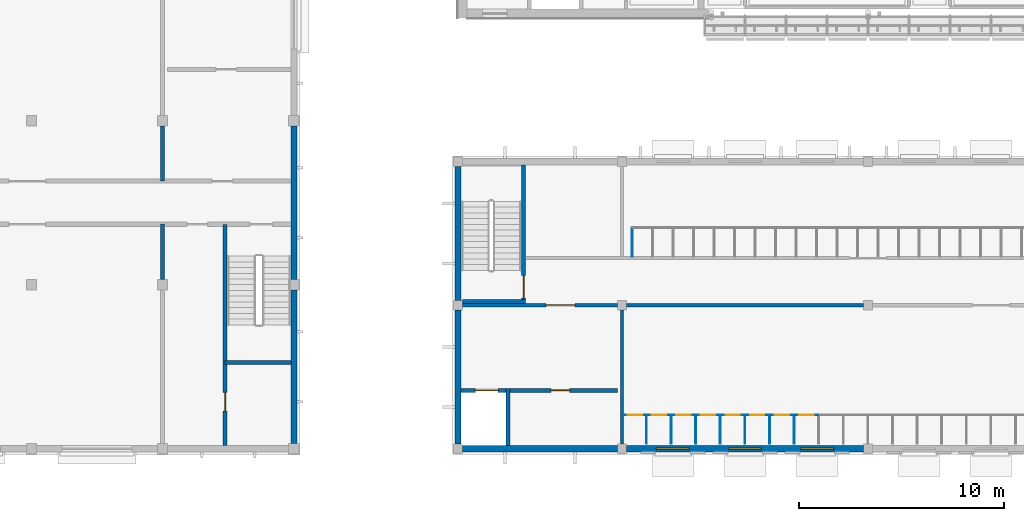
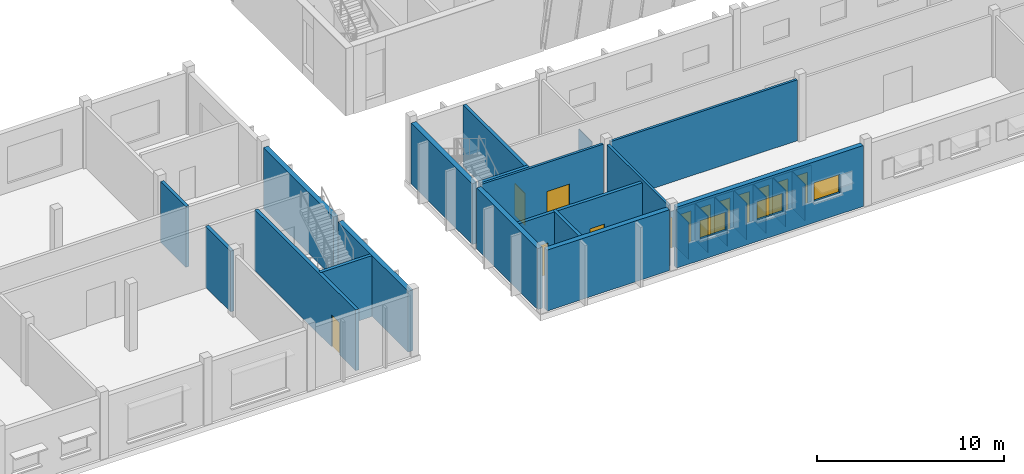
# One storey, part 60 of 115: 34 walls, 13 doors, 3 windows, 16 openings.
"""IFC4 building model written with IfcOpenShell, lengths in metres."""

import ifcopenshell
import ifcopenshell.guid

model = None  # the IFC model being written
_history = None  # IfcOwnerHistory: only IFC2X3 demands one
_inside = {}  # id of a spatial element -> (the spatial element, [elements in it])
_under = {}  # id of a project, library or spatial element -> (it, [spatial elements below it])
_declared = {}  # id of a project -> (the project, [libraries it declares])
_typed = {}  # id of a type object -> (the type object, [elements of that type])
_made_of = {}  # id of a material, layer set ... -> (it, [elements and type objects made of it])


def new_model(schema):
    """Start an empty IFC model of exactly this schema.

    Asked for "IFC4X3", IfcOpenShell would pick the latest addendum, in which some entities
    have other attributes; the version numbers below select the first issue.
    IFC2X3 requires an IfcOwnerHistory on every rooted entity: one is made here for all.
    """
    global model, _history
    if schema == "IFC4X3":
        model = ifcopenshell.file(schema_version=(4, 3, 0, 0))
    else:
        model = ifcopenshell.file(schema=schema)
    _inside.clear()
    _under.clear()
    _declared.clear()
    _typed.clear()
    _made_of.clear()
    _history = None
    if model.schema == "IFC2X3":
        org = make("IfcOrganization", Name="unknown")
        user = make(
            "IfcPersonAndOrganization",
            ThePerson=make("IfcPerson", FamilyName="unknown"),
            TheOrganization=org,
        )
        app = make(
            "IfcApplication",
            ApplicationDeveloper=org,
            Version="unknown",
            ApplicationFullName="unknown",
            ApplicationIdentifier="unknown",
        )
        _history = make(
            "IfcOwnerHistory",
            OwningUser=user,
            OwningApplication=app,
            ChangeAction="ADDED",
            CreationDate=0,
        )
    return model


def make(cls, **values):
    """One entity of the class cls with the attributes given. An attribute that is None is left unset."""
    return model.create_entity(
        cls, **{name: value for name, value in values.items() if value is not None}
    )


def rooted(cls, **values):
    """An entity with a GlobalId (a new one), such as an element, a storey or a relation."""
    return make(cls, GlobalId=ifcopenshell.guid.new(), OwnerHistory=_history, **values)


def si_unit(unit_type, name, prefix=None):
    """IfcSIUnit, for example si_unit("LENGTHUNIT", "METRE", prefix="MILLI")."""
    return make("IfcSIUnit", UnitType=unit_type, Prefix=prefix, Name=name)


def assignment(units):
    """IfcUnitAssignment: the units of a project."""
    return None if units is None else make("IfcUnitAssignment", Units=units)


def point(xyz):
    """IfcCartesianPoint."""
    return None if xyz is None else make("IfcCartesianPoint", Coordinates=xyz)


def direction(xyz):
    """IfcDirection."""
    return None if xyz is None else make("IfcDirection", DirectionRatios=xyz)


def frame(location, z_axis=None, x_axis=None):
    """IfcAxis2Placement3D, a coordinate frame: its origin and axes. An axis left out is left unset."""
    return make(
        "IfcAxis2Placement3D",
        Location=point(location),
        Axis=direction(z_axis),
        RefDirection=direction(x_axis),
    )


def frame_2d(location, x_axis=None):
    """IfcAxis2Placement2D, a coordinate frame in the plane: its origin and x axis."""
    return make(
        "IfcAxis2Placement2D", Location=point(location), RefDirection=direction(x_axis)
    )


def origin():
    """The frame at (0, 0, 0) with its axes left unset."""
    return frame((0.0, 0.0, 0.0))


def place(relative_to, where):
    """IfcLocalPlacement: puts the frame where relative to a parent placement (None: the world)."""
    return make(
        "IfcLocalPlacement", PlacementRelTo=relative_to, RelativePlacement=where
    )


def context(
    kind, dimensions, precision=None, world=None, true_north=None, identifier=None
):
    """IfcGeometricRepresentationContext, for example the 3D "Model" context."""
    return make(
        "IfcGeometricRepresentationContext",
        ContextIdentifier=identifier,
        ContextType=kind,
        CoordinateSpaceDimension=dimensions,
        Precision=precision,
        WorldCoordinateSystem=world,
        TrueNorth=true_north,
    )


def subcontext(parent, identifier, kind, view, scale=None):
    """IfcGeometricRepresentationSubContext, for example "Body" below "Model"."""
    return make(
        "IfcGeometricRepresentationSubContext",
        ContextIdentifier=identifier,
        ContextType=kind,
        ParentContext=parent,
        TargetScale=scale,
        TargetView=view,
    )


def project(units=None, contexts=None):
    """IfcProject with its units and contexts."""
    return rooted(
        "IfcProject",
        Name="project",
        RepresentationContexts=contexts,
        UnitsInContext=assignment(units),
    )


def spatial(cls, under=None, at=None, **own):
    """A site, building, storey or space (cls), placed at a placement, below another one or the project."""
    s = rooted(cls, ObjectPlacement=at, **own)
    if under is not None:
        _under.setdefault(under.id(), (under, []))[1].append(s)
    return s


def profile(cls, at=None, kind="AREA", **sizes):
    """A parametric profile (cls). Its sizes go by their IFC names, for example OverallWidth=200.0."""
    return make(cls, ProfileType=kind, Position=at, **sizes)


def rectangle(**sizes):
    """IfcRectangleProfileDef."""
    return profile("IfcRectangleProfileDef", **sizes)


def extrude(swept, where, along, depth):
    """IfcExtrudedAreaSolid: the profile swept, set in the frame where, extruded along a direction by depth."""
    return make(
        "IfcExtrudedAreaSolid",
        SweptArea=swept,
        Position=where,
        ExtrudedDirection=direction(along),
        Depth=depth,
    )


def shape(context_of_items, identifier, shape_type, items):
    """IfcShapeRepresentation: the items that make up one representation, for example the "Body"."""
    return make(
        "IfcShapeRepresentation",
        ContextOfItems=context_of_items,
        RepresentationIdentifier=identifier,
        RepresentationType=shape_type,
        Items=items,
    )


def material(Name=None, Category=None):
    """IfcMaterial."""
    return make("IfcMaterial", Name=Name, Category=Category)


def layer(
    of_material, thickness, ventilated=None, Name=None, Category=None, Priority=None
):
    """IfcMaterialLayer: one layer of a wall or slab, of a material (None: an air gap)."""
    return make(
        "IfcMaterialLayer",
        Material=of_material,
        LayerThickness=thickness,
        IsVentilated=ventilated,
        Name=Name,
        Category=Category,
        Priority=Priority,
    )


def layer_set(layers, Name=None):
    """IfcMaterialLayerSet."""
    return make("IfcMaterialLayerSet", MaterialLayers=layers, LayerSetName=Name)


def made_of(thing, what):
    """Note that an element or type object is made of a material, layer set ...; save() writes the relation."""
    if what is not None:
        _made_of.setdefault(what.id(), (what, []))[1].append(thing)
    return thing


def type_object(cls, material=None, **own):
    """A type object (cls), such as IfcWallType, which elements share."""
    return made_of(rooted(cls, **own), material)


def element(
    cls,
    number,
    at=None,
    inside=None,
    cuts=None,
    type_object=None,
    material=None,
    context=None,
    identifier="Body",
    shape_type=None,
    held_by="IfcProductDefinitionShape",
    body=None,
    shapes=None,
    **own,
):
    """One element of the class cls, such as IfcWall. Its Tag is "e" and its number.

    at: its placement. inside: the storey or other place that contains it. cuts: it is an
    opening in that element (IfcRelVoidsElement). A single representation is given by context,
    identifier, shape_type and body (its items); several are given by shapes. held_by: the class
    of the entity that holds the representations. save() writes the other relations.
    """
    e = rooted(cls, Tag="e%d" % number, ObjectPlacement=at, **own)
    if body is not None:
        shapes = [shape(context, identifier, shape_type, body)]
    if shapes is not None:
        e.Representation = make(held_by, Representations=shapes)
    if inside is not None:
        _inside.setdefault(inside.id(), (inside, []))[1].append(e)
    if cuts is not None:
        rooted(
            "IfcRelVoidsElement", RelatingBuildingElement=cuts, RelatedOpeningElement=e
        )
    if type_object is not None:
        _typed.setdefault(type_object.id(), (type_object, []))[1].append(e)
    return made_of(e, material)


def fill(opening, filler):
    """IfcRelFillsElement: the door or window that sits in an opening."""
    return rooted(
        "IfcRelFillsElement",
        RelatingOpeningElement=opening,
        RelatedBuildingElement=filler,
    )


def aggregate(whole, parts):
    """IfcRelAggregates: a whole, such as a stair, and the parts it consists of."""
    return rooted("IfcRelAggregates", RelatingObject=whole, RelatedObjects=parts)


def save(model, path):
    """Write the relations noted so far, then the file.

    IfcRelAggregates (storeys below a building ...), IfcRelContainedInSpatialStructure (elements
    in a storey), IfcRelDefinesByType, IfcRelAssociatesMaterial and IfcRelDeclares: one each for
    every whole, place, type object, material and project.
    """
    for whole, parts in _under.values():
        aggregate(whole, parts)
    for where, things in _inside.values():
        rooted(
            "IfcRelContainedInSpatialStructure",
            RelatedElements=things,
            RelatingStructure=where,
        )
    for kind, things in _typed.values():
        rooted("IfcRelDefinesByType", RelatedObjects=things, RelatingType=kind)
    for what, things in _made_of.values():
        rooted("IfcRelAssociatesMaterial", RelatedObjects=things, RelatingMaterial=what)
    for by, libraries in _declared.values():
        rooted("IfcRelDeclares", RelatingContext=by, RelatedDefinitions=libraries)
    model.write(path)


model = new_model("IFC4")

# Units and contexts
model_context = context("Model", 3, precision=1e-05, world=origin(), true_north=direction((0.0, 1.0)))
body_context = subcontext(model_context, "Body", "Model", "MODEL_VIEW")
ifc_project = project(units=[si_unit("LENGTHUNIT", "METRE"), si_unit("AREAUNIT", "SQUARE_METRE"), si_unit("VOLUMEUNIT", "CUBIC_METRE"), si_unit("PLANEANGLEUNIT", "RADIAN"), si_unit("MASSUNIT", "GRAM", prefix="KILO")], contexts=[model_context])

# Site, building, storey
site_placement = place(None, origin())
site = spatial("IfcSite", under=ifc_project, at=site_placement, CompositionType="ELEMENT")
building_placement = place(site_placement, origin())
building = spatial("IfcBuilding", under=site, at=building_placement, Name="Windward Yard Aquatics Centre", CompositionType="ELEMENT")
storey_placement = place(building_placement, frame((0.0, 0.0, 5.0)))
storey = spatial("IfcBuildingStorey", under=building, at=storey_placement, Name="L01", CompositionType="ELEMENT", Elevation=5.0)

# Wall, opening, door
ifc_material_1 = material(Name="Concrete masonry unit plastered", Category="masonry")
ifc_layer_1 = layer(ifc_material_1, 0.14990234375)
ifc_layer_set_1 = layer_set([ifc_layer_1], Name="C block partition 150")
wall_type_1 = type_object("IfcWallType", Name="C block partition 150", PredefinedType="PARTITIONING", material=ifc_layer_set_1)
wall_1_placement = place(storey_placement, frame((52.22509765625, 12.0, 0.0), z_axis=(0.0, 0.0, 1.0), x_axis=(1.0, 0.0, 0.0)))
wall_1 = element("IfcWall", 1, at=wall_1_placement, inside=storey, type_object=wall_type_1, Name="C.W.L01.SP.S.1", PredefinedType="PARTITIONING", context=body_context, shape_type="SweptSolid", body=[
    extrude(rectangle(XDim=7.5498046875, YDim=0.14990234375, at=frame_2d((3.77490234375, 0.0))), origin(), (0.0, 0.0, 1.0), 3.97998046875),
])
opening_1_placement = place(wall_1_placement, frame((4.074951171875, 0.0, 0.0)))
opening_1 = element("IfcOpeningElement", 2, at=opening_1_placement, cuts=wall_1, Name="Opening C1017", PredefinedType="OPENING", context=body_context, shape_type="SweptSolid", body=[
    extrude(rectangle(XDim=1.39990234375, YDim=2.10009765625, at=frame_2d((0.699951171875, 1.050048828125))), frame((0.0, 0.0849609375, 0.0), z_axis=(0.0, -1.0, 0.0), x_axis=(1.0, 0.0, 0.0)), (0.0, 0.0, 1.0), 0.169921875),
])
ifc_material_2 = material(Name="Aluminium framed glazed door", Category="aluminium")
door_type_1 = type_object("IfcDoorType", Name="C glazed door 1400X2100 FD30S", OperationType="SINGLE_SWING_LEFT", PredefinedType="DOOR", material=ifc_material_2)
door_1_placement = place(opening_1_placement, origin())
door_1 = element("IfcDoor", 3, at=door_1_placement, inside=storey, type_object=door_type_1, Name="Door C1017", OperationType="SINGLE_SWING_LEFT", OverallHeight=2.10009765625, OverallWidth=1.39990234375, PredefinedType="DOOR", context=body_context, shape_type="SweptSolid", body=[
    extrude(rectangle(XDim=1.39990234375, YDim=2.10009765625, at=frame_2d((0.699951171875, 1.050048828125))), frame((0.0, 0.02490234375, 0.0), z_axis=(0.0, -1.0, 0.0), x_axis=(1.0, 0.0, 0.0)), (0.0, 0.0, 1.0), 0.050048828125),
])
fill(opening_1, door_1)

# Walls
wall_2_placement = place(storey_placement, frame((60.22509765625, 12.0, 0.0), z_axis=(0.0, 0.0, 1.0), x_axis=(1.0, 0.0, 0.0)))
element("IfcWall", 4, at=wall_2_placement, inside=storey, type_object=wall_type_1, Name="C.W.L01.SP.S.2", PredefinedType="PARTITIONING", context=body_context, shape_type="SweptSolid", body=[
    extrude(rectangle(XDim=11.5498046875, YDim=0.14990234375, at=frame_2d((5.77490234375, 0.0))), origin(), (0.0, 0.0, 1.0), 3.97998046875),
])
wall_3_placement = place(storey_placement, frame((60.0, 5.22509765625, 0.0), z_axis=(0.0, 0.0, 1.0), x_axis=(0.0, 1.0, 0.0)))
element("IfcWall", 5, at=wall_3_placement, inside=storey, type_object=wall_type_1, Name="C.W.L01.SD.8.1", PredefinedType="PARTITIONING", context=body_context, shape_type="SweptSolid", body=[
    extrude(rectangle(XDim=6.5498046875, YDim=0.14990234375, at=frame_2d((3.27490234375, 0.0))), origin(), (0.0, 0.0, 1.0), 3.97998046875),
])
ifc_material_3 = material(Name="Concrete C35/45", Category="concrete")
ifc_layer_2 = layer(ifc_material_3, 0.199951171875)
ifc_layer_set_2 = layer_set([ifc_layer_2], Name="C core enclosure wall 200")
wall_type_2 = type_object("IfcWallType", Name="C core enclosure wall 200", PredefinedType="SOLIDWALL", material=ifc_layer_set_2)
wall_4_placement = place(storey_placement, frame((54.449951171875, 5.14990234375, 0.0), z_axis=(0.0, 0.0, 1.0), x_axis=(0.0, 1.0, 0.0)))
element("IfcWall", 6, at=wall_4_placement, inside=storey, type_object=wall_type_2, Name="C.W.L01.LS.E", PredefinedType="SOLIDWALL", context=body_context, shape_type="SweptSolid", body=[
    extrude(rectangle(XDim=2.800048828125, YDim=0.199951171875, at=frame_2d((1.39990234375, 0.0))), origin(), (0.0, 0.0, 1.0), 3.97998046875),
])

# Wall, opening, door
wall_5_placement = place(storey_placement, frame((52.14990234375, 7.85009765625, 0.0), z_axis=(0.0, 0.0, 1.0), x_axis=(1.0, 0.0, 0.0)))
wall_5 = element("IfcWall", 7, at=wall_5_placement, inside=storey, type_object=wall_type_2, Name="C.W.L01.LS.N", PredefinedType="SOLIDWALL", context=body_context, shape_type="SweptSolid", body=[
    extrude(rectangle(XDim=2.2001953125, YDim=0.199951171875, at=frame_2d((1.10009765625, 0.0))), origin(), (0.0, 0.0, 1.0), 3.97998046875),
])
opening_2_placement = place(wall_5_placement, frame((0.699951171875, 0.0, 0.0)))
opening_2 = element("IfcOpeningElement", 8, at=opening_2_placement, cuts=wall_5, Name="Opening C1901", PredefinedType="OPENING", context=body_context, shape_type="SweptSolid", body=[
    extrude(rectangle(XDim=1.10009765625, YDim=2.10009765625, at=frame_2d((0.550048828125, 1.050048828125))), frame((0.0, 0.10986328125, 0.0), z_axis=(0.0, -1.0, 0.0), x_axis=(1.0, 0.0, 0.0)), (0.0, 0.0, 1.0), 0.219970703125),
])
ifc_material_4 = material(Name="Aluminium framed glazed sliding door", Category="aluminium")
door_type_2 = type_object("IfcDoorType", Name="C sliding door 1100X2100 FD60", OperationType="SLIDING_TO_LEFT", PredefinedType="DOOR", material=ifc_material_4)
door_2_placement = place(opening_2_placement, origin())
door_2 = element("IfcDoor", 9, at=door_2_placement, inside=storey, type_object=door_type_2, Name="Lift 1 landing door L01", OperationType="SLIDING_TO_LEFT", OverallHeight=2.10009765625, OverallWidth=1.10009765625, PredefinedType="DOOR", context=body_context, shape_type="SweptSolid", body=[
    extrude(rectangle(XDim=1.10009765625, YDim=2.10009765625, at=frame_2d((0.550048828125, 1.050048828125))), frame((0.0, 0.02490234375, 0.0), z_axis=(0.0, -1.0, 0.0), x_axis=(1.0, 0.0, 0.0)), (0.0, 0.0, 1.0), 0.050048828125),
])
fill(opening_2, door_2)

wall_6_placement = place(storey_placement, frame((54.550048828125, 7.85009765625, 0.0), z_axis=(0.0, 0.0, 1.0), x_axis=(1.0, 0.0, 0.0)))
wall_6 = element("IfcWall", 10, at=wall_6_placement, inside=storey, type_object=wall_type_2, Name="C.W.L01.CW.S1", PredefinedType="SOLIDWALL", context=body_context, shape_type="SweptSolid", body=[
    extrude(rectangle(XDim=5.224853515625, YDim=0.199951171875, at=frame_2d((2.6123046875, 0.0))), origin(), (0.0, 0.0, 1.0), 3.97998046875),
])
opening_3_placement = place(wall_6_placement, frame((2.0, 0.0, 0.0)))
opening_3 = element("IfcOpeningElement", 11, at=opening_3_placement, cuts=wall_6, Name="Opening C1018", PredefinedType="OPENING", context=body_context, shape_type="SweptSolid", body=[
    extrude(rectangle(XDim=0.89990234375, YDim=2.10009765625, at=frame_2d((0.449951171875, 1.050048828125))), frame((0.0, 0.10986328125, 0.0), z_axis=(0.0, -1.0, 0.0), x_axis=(1.0, 0.0, 0.0)), (0.0, 0.0, 1.0), 0.219970703125),
])
ifc_material_5 = material(Name="Timber door leaf in steel frame", Category="steel")
door_type_3 = type_object("IfcDoorType", Name="C door 900X2100 FD30S", OperationType="SINGLE_SWING_LEFT", PredefinedType="DOOR", material=ifc_material_5)
door_3_placement = place(opening_3_placement, origin())
door_3 = element("IfcDoor", 12, at=door_3_placement, inside=storey, type_object=door_type_3, Name="Door C1018", OperationType="SINGLE_SWING_LEFT", OverallHeight=2.10009765625, OverallWidth=0.89990234375, PredefinedType="DOOR", context=body_context, shape_type="SweptSolid", body=[
    extrude(rectangle(XDim=0.89990234375, YDim=2.10009765625, at=frame_2d((0.449951171875, 1.050048828125))), frame((0.0, 0.02490234375, 0.0), z_axis=(0.0, -1.0, 0.0), x_axis=(1.0, 0.0, 0.0)), (0.0, 0.0, 1.0), 0.050048828125),
])
fill(opening_3, door_3)

wall_7_placement = place(storey_placement, frame((55.199951171875, 12.27490234375, 0.0), z_axis=(0.0, 0.0, 1.0), x_axis=(0.0, 1.0, 0.0)))
wall_7 = element("IfcWall", 13, at=wall_7_placement, inside=storey, type_object=wall_type_2, Name="C.W.L01.SE1.D", PredefinedType="SOLIDWALL", context=body_context, shape_type="SweptSolid", body=[
    extrude(rectangle(XDim=6.5751953125, YDim=0.199951171875, at=frame_2d((3.28759765625, 0.0))), origin(), (0.0, 0.0, 1.0), 3.97998046875),
])
opening_4_placement = place(wall_7_placement, frame((0.074951171875, 0.0, 0.0)))
opening_4 = element("IfcOpeningElement", 14, at=opening_4_placement, cuts=wall_7, Name="Opening C1019", PredefinedType="OPENING", context=body_context, shape_type="SweptSolid", body=[
    extrude(rectangle(XDim=1.10009765625, YDim=2.10009765625, at=frame_2d((0.550048828125, 1.050048828125))), frame((0.0, 0.10986328125, 0.0), z_axis=(0.0, -1.0, 0.0), x_axis=(1.0, 0.0, 0.0)), (0.0, 0.0, 1.0), 0.219970703125),
])
ifc_material_6 = material(Name="Steel door leaf in steel frame", Category="steel")
door_type_4 = type_object("IfcDoorType", Name="C steel door 1100X2100 FD60", OperationType="SINGLE_SWING_LEFT", PredefinedType="DOOR", material=ifc_material_6)
door_4_placement = place(opening_4_placement, origin())
door_4 = element("IfcDoor", 15, at=door_4_placement, inside=storey, type_object=door_type_4, Name="Door C1019", OperationType="SINGLE_SWING_LEFT", OverallHeight=2.10009765625, OverallWidth=1.10009765625, PredefinedType="DOOR", context=body_context, shape_type="SweptSolid", body=[
    extrude(rectangle(XDim=1.10009765625, YDim=2.10009765625, at=frame_2d((0.550048828125, 1.050048828125))), frame((0.0, 0.02490234375, 0.0), z_axis=(0.0, -1.0, 0.0), x_axis=(1.0, 0.0, 0.0)), (0.0, 0.0, 1.0), 0.050048828125),
])
fill(opening_4, door_4)

# Walls
wall_8_placement = place(storey_placement, frame((52.22509765625, 12.175048828125, 0.0), z_axis=(0.0, 0.0, 1.0), x_axis=(1.0, 0.0, 0.0)))
element("IfcWall", 16, at=wall_8_placement, inside=storey, type_object=wall_type_2, Name="C.W.L01.SE1.S", PredefinedType="SOLIDWALL", context=body_context, shape_type="SweptSolid", body=[
    extrude(rectangle(XDim=3.074951171875, YDim=0.199951171875, at=frame_2d((1.53759765625, 0.0))), origin(), (0.0, 0.0, 1.0), 3.97998046875),
])
ifc_material_7 = material(Name="High-pressure laminate panel on stainless frame")
ifc_layer_3 = layer(ifc_material_7, 0.0400390625)
ifc_layer_set_3 = layer_set([ifc_layer_3], Name="C cubicle panel 40")
wall_type_3 = type_object("IfcWallType", Name="C cubicle panel 40", PredefinedType="PARTITIONING", material=ifc_layer_set_3)
for number, where, z_axis, x_axis, name in (
    (17, (61.199951171875, 5.25, 0.0), (0.0, 0.0, 1.0), (0.0, 1.0, 0.0), "C.W.L01.A.P1"),
    (18, (62.39990234375, 5.25, 0.0), (0.0, 0.0, 1.0), (0.0, 1.0, 0.0), "C.W.L01.A.P2"),
    (19, (63.60009765625, 5.25, 0.0), (0.0, 0.0, 1.0), (0.0, 1.0, 0.0), "C.W.L01.A.P3"),
    (20, (64.800048828125, 5.25, 0.0), (0.0, 0.0, 1.0), (0.0, 1.0, 0.0), "C.W.L01.A.P4"),
    (21, (66.0, 5.25, 0.0), (0.0, 0.0, 1.0), (0.0, 1.0, 0.0), "C.W.L01.A.P5"),
    (22, (67.199951171875, 5.25, 0.0), (0.0, 0.0, 1.0), (0.0, 1.0, 0.0), "C.W.L01.A.P6"),
    (23, (68.39990234375, 5.25, 0.0), (0.0, 0.0, 1.0), (0.0, 1.0, 0.0), "C.W.L01.A.P7"),
):
    element("IfcWall", number, at=place(storey_placement, frame(where, z_axis=z_axis, x_axis=x_axis)), inside=storey, type_object=wall_type_3, Name=name, PredefinedType="PARTITIONING", context=body_context, shape_type="SweptSolid", body=[
        extrude(rectangle(XDim=1.39990234375, YDim=0.0400390625, at=frame_2d((0.699951171875, 0.0))), origin(), (0.0, 0.0, 1.0), 2.39990234375),
    ])

# Wall, opening, door
wall_9_placement = place(storey_placement, frame((60.074951171875, 6.64990234375, 0.0), z_axis=(0.0, 0.0, 1.0), x_axis=(1.0, 0.0, 0.0)))
wall_9 = element("IfcWall", 24, at=wall_9_placement, inside=storey, type_object=wall_type_3, Name="C.W.L01.A.F0", PredefinedType="PARTITIONING", context=body_context, shape_type="SweptSolid", body=[
    extrude(rectangle(XDim=1.10498046875, YDim=0.0400390625, at=frame_2d((0.552490234375, 0.0))), origin(), (0.0, 0.0, 1.0), 2.39990234375),
])
opening_5_placement = place(wall_9_placement, frame((0.202392578125, 0.0, 0.0)))
opening_5 = element("IfcOpeningElement", 25, at=opening_5_placement, cuts=wall_9, Name="Opening C1021", PredefinedType="OPENING", context=body_context, shape_type="SweptSolid", body=[
    extrude(rectangle(XDim=0.699951171875, YDim=2.0, at=frame_2d((0.35009765625, 1.0))), frame((0.0, 0.030029296875, 0.0), z_axis=(0.0, -1.0, 0.0), x_axis=(1.0, 0.0, 0.0)), (0.0, 0.0, 1.0), 0.06005859375),
])
ifc_material_8 = material(Name="High-pressure laminate door leaf")
door_type_5 = type_object("IfcDoorType", Name="C door 700X2000 NOT RATED", OperationType="SINGLE_SWING_LEFT", PredefinedType="DOOR", material=ifc_material_8)
door_5_placement = place(opening_5_placement, origin())
door_5 = element("IfcDoor", 26, at=door_5_placement, inside=storey, type_object=door_type_5, Name="Cubicle door A1", OperationType="SINGLE_SWING_LEFT", OverallHeight=2.0, OverallWidth=0.699951171875, PredefinedType="DOOR", context=body_context, shape_type="SweptSolid", body=[
    extrude(rectangle(XDim=0.699951171875, YDim=2.0, at=frame_2d((0.35009765625, 1.0))), frame((0.0, 0.019775390625, 0.0), z_axis=(0.0, -1.0, 0.0), x_axis=(1.0, 0.0, 0.0)), (0.0, 0.0, 1.0), 0.03955078125),
])
fill(opening_5, door_5)

wall_10_placement = place(storey_placement, frame((61.219970703125, 6.64990234375, 0.0), z_axis=(0.0, 0.0, 1.0), x_axis=(1.0, 0.0, 0.0)))
wall_10 = element("IfcWall", 27, at=wall_10_placement, inside=storey, type_object=wall_type_3, Name="C.W.L01.A.F1", PredefinedType="PARTITIONING", context=body_context, shape_type="SweptSolid", body=[
    extrude(rectangle(XDim=1.159912109375, YDim=0.0400390625, at=frame_2d((0.580078125, 0.0))), origin(), (0.0, 0.0, 1.0), 2.39990234375),
])
opening_6_placement = place(wall_10_placement, frame((0.22998046875, 0.0, 0.0)))
opening_6 = element("IfcOpeningElement", 28, at=opening_6_placement, cuts=wall_10, Name="Opening C1022", PredefinedType="OPENING", context=body_context, shape_type="SweptSolid", body=[
    extrude(rectangle(XDim=0.699951171875, YDim=2.0, at=frame_2d((0.35009765625, 1.0))), frame((0.0, 0.030029296875, 0.0), z_axis=(0.0, -1.0, 0.0), x_axis=(1.0, 0.0, 0.0)), (0.0, 0.0, 1.0), 0.06005859375),
])
door_6_placement = place(opening_6_placement, origin())
door_6 = element("IfcDoor", 29, at=door_6_placement, inside=storey, type_object=door_type_5, Name="Cubicle door A2", OperationType="SINGLE_SWING_LEFT", OverallHeight=2.0, OverallWidth=0.699951171875, PredefinedType="DOOR", context=body_context, shape_type="SweptSolid", body=[
    extrude(rectangle(XDim=0.699951171875, YDim=2.0, at=frame_2d((0.35009765625, 1.0))), frame((0.0, 0.019775390625, 0.0), z_axis=(0.0, -1.0, 0.0), x_axis=(1.0, 0.0, 0.0)), (0.0, 0.0, 1.0), 0.03955078125),
])
fill(opening_6, door_6)

wall_11_placement = place(storey_placement, frame((62.419921875, 6.64990234375, 0.0), z_axis=(0.0, 0.0, 1.0), x_axis=(1.0, 0.0, 0.0)))
wall_11 = element("IfcWall", 30, at=wall_11_placement, inside=storey, type_object=wall_type_3, Name="C.W.L01.A.F2", PredefinedType="PARTITIONING", context=body_context, shape_type="SweptSolid", body=[
    extrude(rectangle(XDim=1.16015625, YDim=0.0400390625, at=frame_2d((0.580078125, 0.0))), origin(), (0.0, 0.0, 1.0), 2.39990234375),
])
opening_7_placement = place(wall_11_placement, frame((0.22998046875, 0.0, 0.0)))
opening_7 = element("IfcOpeningElement", 31, at=opening_7_placement, cuts=wall_11, Name="Opening C1023", PredefinedType="OPENING", context=body_context, shape_type="SweptSolid", body=[
    extrude(rectangle(XDim=0.699951171875, YDim=2.0, at=frame_2d((0.35009765625, 1.0))), frame((0.0, 0.030029296875, 0.0), z_axis=(0.0, -1.0, 0.0), x_axis=(1.0, 0.0, 0.0)), (0.0, 0.0, 1.0), 0.06005859375),
])
door_7_placement = place(opening_7_placement, origin())
door_7 = element("IfcDoor", 32, at=door_7_placement, inside=storey, type_object=door_type_5, Name="Cubicle door A3", OperationType="SINGLE_SWING_LEFT", OverallHeight=2.0, OverallWidth=0.699951171875, PredefinedType="DOOR", context=body_context, shape_type="SweptSolid", body=[
    extrude(rectangle(XDim=0.699951171875, YDim=2.0, at=frame_2d((0.35009765625, 1.0))), frame((0.0, 0.019775390625, 0.0), z_axis=(0.0, -1.0, 0.0), x_axis=(1.0, 0.0, 0.0)), (0.0, 0.0, 1.0), 0.03955078125),
])
fill(opening_7, door_7)

wall_12_placement = place(storey_placement, frame((63.6201171875, 6.64990234375, 0.0), z_axis=(0.0, 0.0, 1.0), x_axis=(1.0, 0.0, 0.0)))
wall_12 = element("IfcWall", 33, at=wall_12_placement, inside=storey, type_object=wall_type_3, Name="C.W.L01.A.F3", PredefinedType="PARTITIONING", context=body_context, shape_type="SweptSolid", body=[
    extrude(rectangle(XDim=1.159912109375, YDim=0.0400390625, at=frame_2d((0.580078125, 0.0))), origin(), (0.0, 0.0, 1.0), 2.39990234375),
])
opening_8_placement = place(wall_12_placement, frame((0.22998046875, 0.0, 0.0)))
opening_8 = element("IfcOpeningElement", 34, at=opening_8_placement, cuts=wall_12, Name="Opening C1024", PredefinedType="OPENING", context=body_context, shape_type="SweptSolid", body=[
    extrude(rectangle(XDim=0.699951171875, YDim=2.0, at=frame_2d((0.35009765625, 1.0))), frame((0.0, 0.030029296875, 0.0), z_axis=(0.0, -1.0, 0.0), x_axis=(1.0, 0.0, 0.0)), (0.0, 0.0, 1.0), 0.06005859375),
])
door_8_placement = place(opening_8_placement, origin())
door_8 = element("IfcDoor", 35, at=door_8_placement, inside=storey, type_object=door_type_5, Name="Cubicle door A4", OperationType="SINGLE_SWING_LEFT", OverallHeight=2.0, OverallWidth=0.699951171875, PredefinedType="DOOR", context=body_context, shape_type="SweptSolid", body=[
    extrude(rectangle(XDim=0.699951171875, YDim=2.0, at=frame_2d((0.35009765625, 1.0))), frame((0.0, 0.019775390625, 0.0), z_axis=(0.0, -1.0, 0.0), x_axis=(1.0, 0.0, 0.0)), (0.0, 0.0, 1.0), 0.03955078125),
])
fill(opening_8, door_8)

wall_13_placement = place(storey_placement, frame((64.820068359375, 6.64990234375, 0.0), z_axis=(0.0, 0.0, 1.0), x_axis=(1.0, 0.0, 0.0)))
wall_13 = element("IfcWall", 36, at=wall_13_placement, inside=storey, type_object=wall_type_3, Name="C.W.L01.A.F4", PredefinedType="PARTITIONING", context=body_context, shape_type="SweptSolid", body=[
    extrude(rectangle(XDim=1.159912109375, YDim=0.0400390625, at=frame_2d((0.580078125, 0.0))), origin(), (0.0, 0.0, 1.0), 2.39990234375),
])
opening_9_placement = place(wall_13_placement, frame((0.22998046875, 0.0, 0.0)))
opening_9 = element("IfcOpeningElement", 37, at=opening_9_placement, cuts=wall_13, Name="Opening C1025", PredefinedType="OPENING", context=body_context, shape_type="SweptSolid", body=[
    extrude(rectangle(XDim=0.699951171875, YDim=2.0, at=frame_2d((0.35009765625, 1.0))), frame((0.0, 0.030029296875, 0.0), z_axis=(0.0, -1.0, 0.0), x_axis=(1.0, 0.0, 0.0)), (0.0, 0.0, 1.0), 0.06005859375),
])
door_9_placement = place(opening_9_placement, origin())
door_9 = element("IfcDoor", 38, at=door_9_placement, inside=storey, type_object=door_type_5, Name="Cubicle door A5", OperationType="SINGLE_SWING_LEFT", OverallHeight=2.0, OverallWidth=0.699951171875, PredefinedType="DOOR", context=body_context, shape_type="SweptSolid", body=[
    extrude(rectangle(XDim=0.699951171875, YDim=2.0, at=frame_2d((0.35009765625, 1.0))), frame((0.0, 0.019775390625, 0.0), z_axis=(0.0, -1.0, 0.0), x_axis=(1.0, 0.0, 0.0)), (0.0, 0.0, 1.0), 0.03955078125),
])
fill(opening_9, door_9)

wall_14_placement = place(storey_placement, frame((66.02001953125, 6.64990234375, 0.0), z_axis=(0.0, 0.0, 1.0), x_axis=(1.0, 0.0, 0.0)))
wall_14 = element("IfcWall", 39, at=wall_14_placement, inside=storey, type_object=wall_type_3, Name="C.W.L01.A.F5", PredefinedType="PARTITIONING", context=body_context, shape_type="SweptSolid", body=[
    extrude(rectangle(XDim=1.159912109375, YDim=0.0400390625, at=frame_2d((0.580078125, 0.0))), origin(), (0.0, 0.0, 1.0), 2.39990234375),
])
opening_10_placement = place(wall_14_placement, frame((0.22998046875, 0.0, 0.0)))
opening_10 = element("IfcOpeningElement", 40, at=opening_10_placement, cuts=wall_14, Name="Opening C1026", PredefinedType="OPENING", context=body_context, shape_type="SweptSolid", body=[
    extrude(rectangle(XDim=0.699951171875, YDim=2.0, at=frame_2d((0.35009765625, 1.0))), frame((0.0, 0.030029296875, 0.0), z_axis=(0.0, -1.0, 0.0), x_axis=(1.0, 0.0, 0.0)), (0.0, 0.0, 1.0), 0.06005859375),
])
door_10_placement = place(opening_10_placement, origin())
door_10 = element("IfcDoor", 41, at=door_10_placement, inside=storey, type_object=door_type_5, Name="Cubicle door A6", OperationType="SINGLE_SWING_LEFT", OverallHeight=2.0, OverallWidth=0.699951171875, PredefinedType="DOOR", context=body_context, shape_type="SweptSolid", body=[
    extrude(rectangle(XDim=0.699951171875, YDim=2.0, at=frame_2d((0.35009765625, 1.0))), frame((0.0, 0.019775390625, 0.0), z_axis=(0.0, -1.0, 0.0), x_axis=(1.0, 0.0, 0.0)), (0.0, 0.0, 1.0), 0.03955078125),
])
fill(opening_10, door_10)

wall_15_placement = place(storey_placement, frame((67.219970703125, 6.64990234375, 0.0), z_axis=(0.0, 0.0, 1.0), x_axis=(1.0, 0.0, 0.0)))
wall_15 = element("IfcWall", 42, at=wall_15_placement, inside=storey, type_object=wall_type_3, Name="C.W.L01.A.F6", PredefinedType="PARTITIONING", context=body_context, shape_type="SweptSolid", body=[
    extrude(rectangle(XDim=1.159912109375, YDim=0.0400390625, at=frame_2d((0.580078125, 0.0))), origin(), (0.0, 0.0, 1.0), 2.39990234375),
])
opening_11_placement = place(wall_15_placement, frame((0.22998046875, 0.0, 0.0)))
opening_11 = element("IfcOpeningElement", 43, at=opening_11_placement, cuts=wall_15, Name="Opening C1027", PredefinedType="OPENING", context=body_context, shape_type="SweptSolid", body=[
    extrude(rectangle(XDim=0.699951171875, YDim=2.0, at=frame_2d((0.35009765625, 1.0))), frame((0.0, 0.030029296875, 0.0), z_axis=(0.0, -1.0, 0.0), x_axis=(1.0, 0.0, 0.0)), (0.0, 0.0, 1.0), 0.06005859375),
])
door_11_placement = place(opening_11_placement, origin())
door_11 = element("IfcDoor", 44, at=door_11_placement, inside=storey, type_object=door_type_5, Name="Cubicle door A7", OperationType="SINGLE_SWING_LEFT", OverallHeight=2.0, OverallWidth=0.699951171875, PredefinedType="DOOR", context=body_context, shape_type="SweptSolid", body=[
    extrude(rectangle(XDim=0.699951171875, YDim=2.0, at=frame_2d((0.35009765625, 1.0))), frame((0.0, 0.019775390625, 0.0), z_axis=(0.0, -1.0, 0.0), x_axis=(1.0, 0.0, 0.0)), (0.0, 0.0, 1.0), 0.03955078125),
])
fill(opening_11, door_11)

wall_16_placement = place(storey_placement, frame((68.419921875, 6.64990234375, 0.0), z_axis=(0.0, 0.0, 1.0), x_axis=(1.0, 0.0, 0.0)))
wall_16 = element("IfcWall", 45, at=wall_16_placement, inside=storey, type_object=wall_type_3, Name="C.W.L01.A.F7", PredefinedType="PARTITIONING", context=body_context, shape_type="SweptSolid", body=[
    extrude(rectangle(XDim=1.16015625, YDim=0.0400390625, at=frame_2d((0.580078125, 0.0))), origin(), (0.0, 0.0, 1.0), 2.39990234375),
])
opening_12_placement = place(wall_16_placement, frame((0.22998046875, 0.0, 0.0)))
opening_12 = element("IfcOpeningElement", 46, at=opening_12_placement, cuts=wall_16, Name="Opening C1028", PredefinedType="OPENING", context=body_context, shape_type="SweptSolid", body=[
    extrude(rectangle(XDim=0.699951171875, YDim=2.0, at=frame_2d((0.35009765625, 1.0))), frame((0.0, 0.030029296875, 0.0), z_axis=(0.0, -1.0, 0.0), x_axis=(1.0, 0.0, 0.0)), (0.0, 0.0, 1.0), 0.06005859375),
])
door_12_placement = place(opening_12_placement, origin())
door_12 = element("IfcDoor", 47, at=door_12_placement, inside=storey, type_object=door_type_5, Name="Cubicle door A8", OperationType="SINGLE_SWING_LEFT", OverallHeight=2.0, OverallWidth=0.699951171875, PredefinedType="DOOR", context=body_context, shape_type="SweptSolid", body=[
    extrude(rectangle(XDim=0.699951171875, YDim=2.0, at=frame_2d((0.35009765625, 1.0))), frame((0.0, 0.019775390625, 0.0), z_axis=(0.0, -1.0, 0.0), x_axis=(1.0, 0.0, 0.0)), (0.0, 0.0, 1.0), 0.03955078125),
])
fill(opening_12, door_12)

# Walls
wall_17_placement = place(storey_placement, frame((60.5, 14.375, 0.0), z_axis=(0.0, 0.0, 1.0), x_axis=(0.0, 1.0, 0.0)))
element("IfcWall", 48, at=wall_17_placement, inside=storey, type_object=wall_type_3, Name="C.W.L01.E.P0", PredefinedType="PARTITIONING", context=body_context, shape_type="SweptSolid", body=[
    extrude(rectangle(XDim=1.39990234375, YDim=0.0400390625, at=frame_2d((0.699951171875, 0.0))), origin(), (0.0, 0.0, 1.0), 2.39990234375),
])
ifc_material_9 = material(Name="Natural stone cladding", Category="masonry")
ifc_layer_4 = layer(ifc_material_9, 0.04, Name="Cladding")
ifc_material_10 = material(Name="Ventilated air cavity")
ifc_layer_5 = layer(ifc_material_10, 0.04, ventilated=True, Name="Ventilated cavity")
ifc_material_11 = material(Name="Mineral wool insulation")
ifc_layer_6 = layer(ifc_material_11, 0.06, Name="Insulation")
ifc_layer_7 = layer(ifc_material_3, 0.16, Name="Structure")
ifc_layer_set_4 = layer_set([ifc_layer_4, ifc_layer_5, ifc_layer_6, ifc_layer_7], Name="C stone-faced external wall 300")
wall_type_4 = type_object("IfcWallType", Name="C stone-faced external wall 300", PredefinedType="ELEMENTEDWALL", material=ifc_layer_set_4)
wall_18_placement = place(storey_placement, frame((52.22509765625, 5.0, 0.0), z_axis=(0.0, 0.0, 1.0), x_axis=(1.0, 0.0, 0.0)))
element("IfcWall", 49, at=wall_18_placement, inside=storey, type_object=wall_type_4, Name="C.W.L01.S1", PredefinedType="ELEMENTEDWALL", context=body_context, shape_type="SweptSolid", body=[
    extrude(rectangle(XDim=7.5498046875, YDim=0.300048828125, at=frame_2d((3.77490234375, 0.0))), origin(), (0.0, 0.0, 1.0), 3.97998046875),
])

# Wall, openings, windows
wall_19_placement = place(storey_placement, frame((60.22509765625, 5.0, 0.0), z_axis=(0.0, 0.0, 1.0), x_axis=(1.0, 0.0, 0.0)))
wall_19 = element("IfcWall", 50, at=wall_19_placement, inside=storey, type_object=wall_type_4, Name="C.W.L01.S2", PredefinedType="ELEMENTEDWALL", context=body_context, shape_type="SweptSolid", body=[
    extrude(rectangle(XDim=11.5498046875, YDim=0.300048828125, at=frame_2d((5.77490234375, 0.0))), origin(), (0.0, 0.0, 1.0), 3.97998046875),
])
opening_13_placement = place(wall_19_placement, frame((1.458251953125, 0.0, 1.39990234375)))
opening_13 = element("IfcOpeningElement", 51, at=opening_13_placement, cuts=wall_19, Name="Opening CW1001", PredefinedType="OPENING", context=body_context, shape_type="SweptSolid", body=[
    extrude(rectangle(XDim=1.60009765625, YDim=1.199951171875, at=frame_2d((0.800048828125, 0.60009765625))), frame((0.0, 0.16015625, 0.0), z_axis=(0.0, -1.0, 0.0), x_axis=(1.0, 0.0, 0.0)), (0.0, 0.0, 1.0), 0.320068359375),
])
opening_14_placement = place(wall_19_placement, frame((4.97509765625, 0.0, 1.39990234375)))
opening_14 = element("IfcOpeningElement", 52, at=opening_14_placement, cuts=wall_19, Name="Opening CW1002", PredefinedType="OPENING", context=body_context, shape_type="SweptSolid", body=[
    extrude(rectangle(XDim=1.60009765625, YDim=1.199951171875, at=frame_2d((0.800048828125, 0.60009765625))), frame((0.0, 0.16015625, 0.0), z_axis=(0.0, -1.0, 0.0), x_axis=(1.0, 0.0, 0.0)), (0.0, 0.0, 1.0), 0.320068359375),
])
opening_15_placement = place(wall_19_placement, frame((8.49169921875, 0.0, 1.39990234375)))
opening_15 = element("IfcOpeningElement", 53, at=opening_15_placement, cuts=wall_19, Name="Opening CW1003", PredefinedType="OPENING", context=body_context, shape_type="SweptSolid", body=[
    extrude(rectangle(XDim=1.60009765625, YDim=1.199951171875, at=frame_2d((0.800048828125, 0.60009765625))), frame((0.0, 0.16015625, 0.0), z_axis=(0.0, -1.0, 0.0), x_axis=(1.0, 0.0, 0.0)), (0.0, 0.0, 1.0), 0.320068359375),
])
ifc_material_12 = material(Name="Aluminium framed double glazing", Category="aluminium")
window_type = type_object("IfcWindowType", Name="C window 1600X1200", PartitioningType="SINGLE_PANEL", PredefinedType="WINDOW", material=ifc_material_12)
window_1_placement = place(opening_13_placement, origin())
window_1 = element("IfcWindow", 54, at=window_1_placement, inside=storey, type_object=window_type, Name="Window CW1001", OverallHeight=1.199951171875, OverallWidth=1.60009765625, PartitioningType="SINGLE_PANEL", PredefinedType="WINDOW", context=body_context, shape_type="SweptSolid", body=[
    extrude(rectangle(XDim=1.60009765625, YDim=1.199951171875, at=frame_2d((0.800048828125, 0.60009765625))), frame((0.0, 0.030029296875, 0.0), z_axis=(0.0, -1.0, 0.0), x_axis=(1.0, 0.0, 0.0)), (0.0, 0.0, 1.0), 0.06005859375),
])
fill(opening_13, window_1)
window_2_placement = place(opening_14_placement, origin())
window_2 = element("IfcWindow", 55, at=window_2_placement, inside=storey, type_object=window_type, Name="Window CW1002", OverallHeight=1.199951171875, OverallWidth=1.60009765625, PartitioningType="SINGLE_PANEL", PredefinedType="WINDOW", context=body_context, shape_type="SweptSolid", body=[
    extrude(rectangle(XDim=1.60009765625, YDim=1.199951171875, at=frame_2d((0.800048828125, 0.60009765625))), frame((0.0, 0.030029296875, 0.0), z_axis=(0.0, -1.0, 0.0), x_axis=(1.0, 0.0, 0.0)), (0.0, 0.0, 1.0), 0.06005859375),
])
fill(opening_14, window_2)
window_3_placement = place(opening_15_placement, origin())
window_3 = element("IfcWindow", 56, at=window_3_placement, inside=storey, type_object=window_type, Name="Window CW1003", OverallHeight=1.199951171875, OverallWidth=1.60009765625, PartitioningType="SINGLE_PANEL", PredefinedType="WINDOW", context=body_context, shape_type="SweptSolid", body=[
    extrude(rectangle(XDim=1.60009765625, YDim=1.199951171875, at=frame_2d((0.800048828125, 0.60009765625))), frame((0.0, 0.030029296875, 0.0), z_axis=(0.0, -1.0, 0.0), x_axis=(1.0, 0.0, 0.0)), (0.0, 0.0, 1.0), 0.06005859375),
])
fill(opening_15, window_3)

# Walls
for number, where, z_axis, x_axis, name in (
    (57, (52.0, 5.22509765625, 0.0), (0.0, 0.0, 1.0), (0.0, 1.0, 0.0), "C.W.L01.W1"),
    (58, (52.0, 12.22509765625, 0.0), (0.0, 0.0, 1.0), (0.0, 1.0, 0.0), "C.W.L01.W2"),
):
    element("IfcWall", number, at=place(storey_placement, frame(where, z_axis=z_axis, x_axis=x_axis)), inside=storey, type_object=wall_type_4, Name=name, PredefinedType="ELEMENTEDWALL", context=body_context, shape_type="SweptSolid", body=[
        extrude(rectangle(XDim=6.5498046875, YDim=0.300048828125, at=frame_2d((3.27490234375, 0.0))), origin(), (0.0, 0.0, 1.0), 3.97998046875),
    ])
ifc_layer_8 = layer(ifc_material_1, 0.199951171875)
ifc_layer_set_5 = layer_set([ifc_layer_8], Name="P masonry partition 200")
wall_type_5 = type_object("IfcWallType", Name="P masonry partition 200", PredefinedType="PARTITIONING", material=ifc_layer_set_5)
for number, where, z_axis, x_axis, name in (
    (59, (37.60009765625, 13.25, 0.0), (0.0, 0.0, 1.0), (0.0, 1.0, 0.0), "P.W.L01.V3.2"),
    (60, (37.60009765625, 18.050048828125, 0.0), (0.0, 0.0, 1.0), (0.0, 1.0, 0.0), "P.W.L01.V6.1"),
):
    element("IfcWall", number, at=place(storey_placement, frame(where, z_axis=z_axis, x_axis=x_axis)), inside=storey, type_object=wall_type_5, Name=name, PredefinedType="PARTITIONING", context=body_context, shape_type="SweptSolid", body=[
        extrude(rectangle(XDim=2.699951171875, YDim=0.199951171875, at=frame_2d((1.35009765625, 0.0))), origin(), (0.0, 0.0, 1.0), 3.97998046875),
    ])
ifc_layer_9 = layer(ifc_material_3, 0.300048828125)
ifc_layer_set_6 = layer_set([ifc_layer_9], Name="P plant external wall 300")
wall_type_6 = type_object("IfcWallType", Name="P plant external wall 300", PredefinedType="SOLIDWALL", material=ifc_layer_set_6)
for number, where, z_axis, x_axis, name in (
    (61, (44.0, 5.25, 0.0), (0.0, 0.0, 1.0), (0.0, 1.0, 0.0), "P.W.L01.E1"),
    (62, (44.0, 13.25, 0.0), (0.0, 0.0, 1.0), (0.0, 1.0, 0.0), "P.W.L01.E2"),
):
    element("IfcWall", number, at=place(storey_placement, frame(where, z_axis=z_axis, x_axis=x_axis)), inside=storey, type_object=wall_type_6, Name=name, PredefinedType="SOLIDWALL", context=body_context, shape_type="SweptSolid", body=[
        extrude(rectangle(XDim=7.5, YDim=0.300048828125, at=frame_2d((3.75, 0.0))), origin(), (0.0, 0.0, 1.0), 3.97998046875),
    ])

# Wall, opening, door
ifc_layer_10 = layer(ifc_material_3, 0.199951171875)
ifc_layer_set_7 = layer_set([ifc_layer_10], Name="P stair enclosure wall 200")
wall_type_7 = type_object("IfcWallType", Name="P stair enclosure wall 200", PredefinedType="SOLIDWALL", material=ifc_layer_set_7)
wall_20_placement = place(storey_placement, frame((40.64990234375, 5.14990234375, 0.0), z_axis=(0.0, 0.0, 1.0), x_axis=(0.0, 1.0, 0.0)))
wall_20 = element("IfcWall", 63, at=wall_20_placement, inside=storey, type_object=wall_type_7, Name="P.W.L01.V4.1", PredefinedType="SOLIDWALL", context=body_context, shape_type="SweptSolid", body=[
    extrude(rectangle(XDim=10.800048828125, YDim=0.199951171875, at=frame_2d((5.39990234375, 0.0))), origin(), (0.0, 0.0, 1.0), 3.97998046875),
])
opening_16_placement = place(wall_20_placement, frame((1.699951171875, 0.0, 0.0)))
opening_16 = element("IfcOpeningElement", 64, at=opening_16_placement, cuts=wall_20, Name="Opening P1009", PredefinedType="OPENING", context=body_context, shape_type="SweptSolid", body=[
    extrude(rectangle(XDim=0.89990234375, YDim=2.10009765625, at=frame_2d((0.449951171875, 1.050048828125))), frame((0.0, 0.10986328125, 0.0), z_axis=(0.0, -1.0, 0.0), x_axis=(1.0, 0.0, 0.0)), (0.0, 0.0, 1.0), 0.219970703125),
])
door_type_6 = type_object("IfcDoorType", Name="P door 900X2100 FD60", OperationType="SINGLE_SWING_LEFT", PredefinedType="DOOR", material=ifc_material_5)
door_13_placement = place(opening_16_placement, origin())
door_13 = element("IfcDoor", 65, at=door_13_placement, inside=storey, type_object=door_type_6, Name="Door P1009", OperationType="SINGLE_SWING_LEFT", OverallHeight=2.10009765625, OverallWidth=0.89990234375, PredefinedType="DOOR", context=body_context, shape_type="SweptSolid", body=[
    extrude(rectangle(XDim=0.89990234375, YDim=2.10009765625, at=frame_2d((0.449951171875, 1.050048828125))), frame((0.0, 0.02490234375, 0.0), z_axis=(0.0, -1.0, 0.0), x_axis=(1.0, 0.0, 0.0)), (0.0, 0.0, 1.0), 0.050048828125),
])
fill(opening_16, door_13)

# Wall
wall_21_placement = place(storey_placement, frame((40.64990234375, 9.199951171875, 0.0), z_axis=(0.0, 0.0, 1.0), x_axis=(1.0, 0.0, 0.0)))
element("IfcWall", 66, at=wall_21_placement, inside=storey, type_object=wall_type_7, Name="P.W.L01.H5.1", PredefinedType="SOLIDWALL", context=body_context, shape_type="SweptSolid", body=[
    extrude(rectangle(XDim=3.2001953125, YDim=0.199951171875, at=frame_2d((1.60009765625, 0.0))), origin(), (0.0, 0.0, 1.0), 3.97998046875),
])

save(model, "model.ifc")
